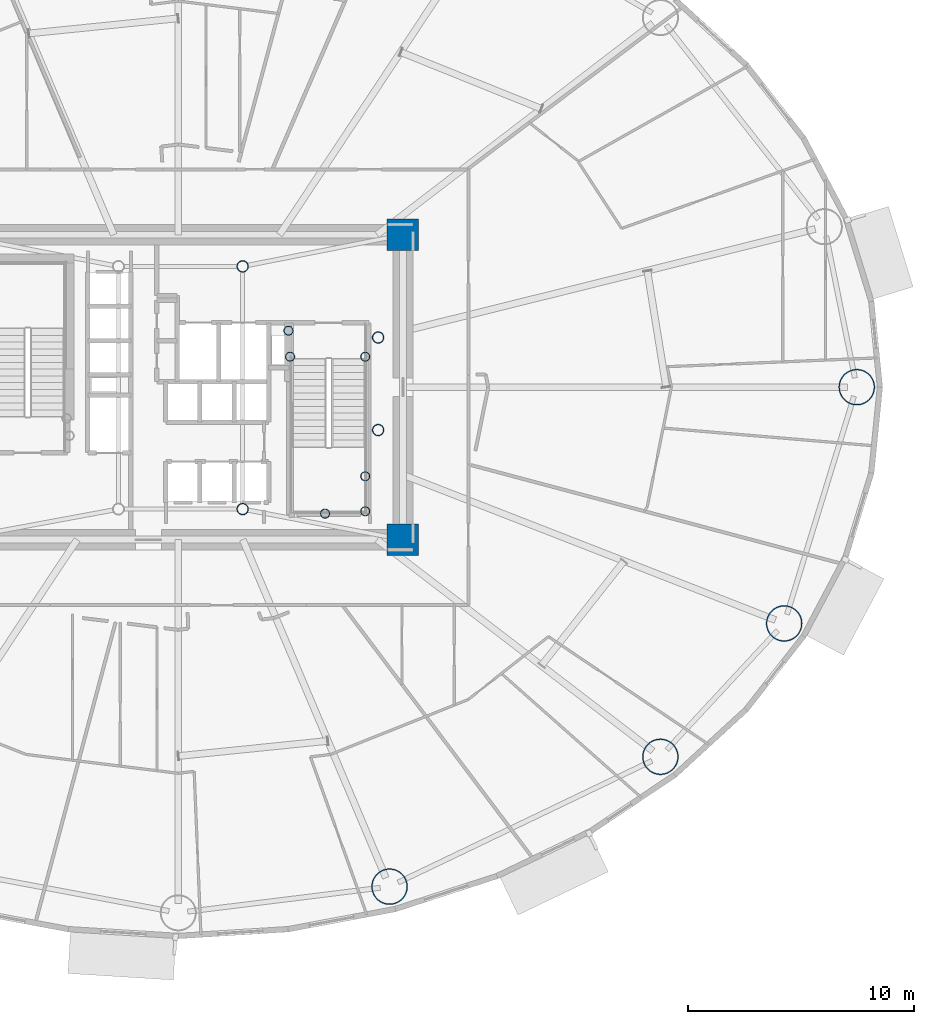
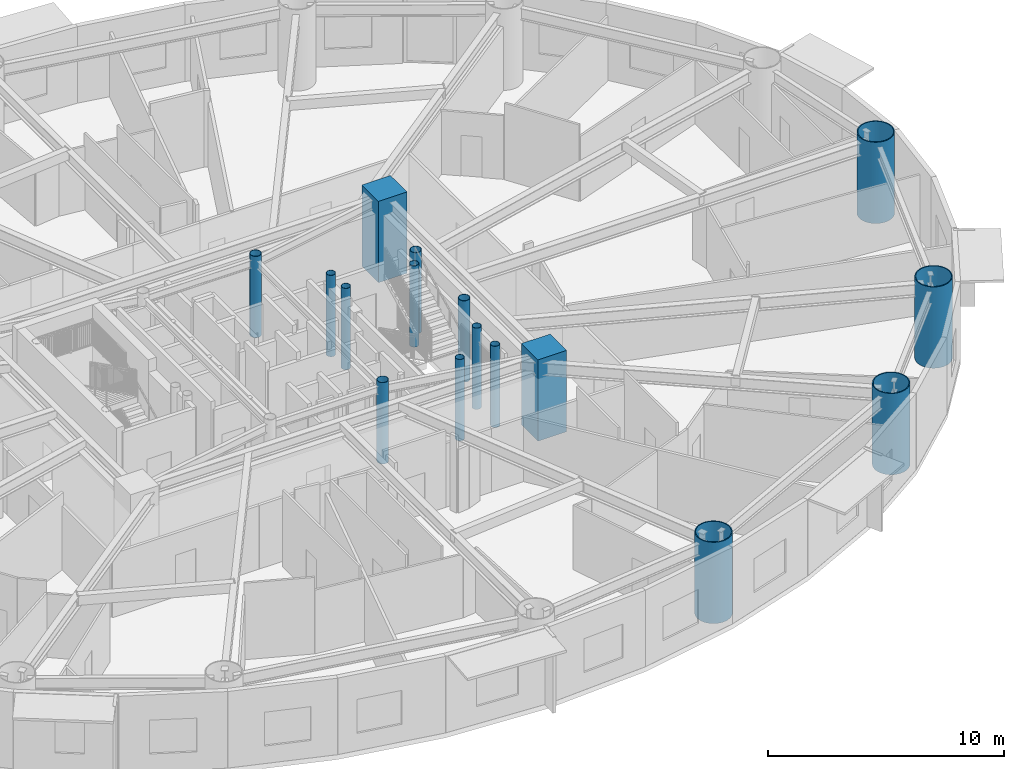
# One storey, part 2 of 24: 16 columns.
"""IFC4 building model written with IfcOpenShell, lengths in metres."""

from ifc_helpers import new_model, si_unit, direction, frame, origin, origin_2d, place, context, subcontext, project, spatial, rectangle, hollow_circle, extrude, material, material_profile, profile_set, type_object, element, save


model = new_model("IFC4")

# Units and contexts
model_context = context("Model", 3, precision=1e-05, world=origin(), true_north=direction((0.0, 1.0)))
body_context = subcontext(model_context, "Body", "Model", "MODEL_VIEW")
ifc_project = project(units=[si_unit("LENGTHUNIT", "METRE"), si_unit("AREAUNIT", "SQUARE_METRE"), si_unit("VOLUMEUNIT", "CUBIC_METRE"), si_unit("PLANEANGLEUNIT", "RADIAN"), si_unit("MASSUNIT", "GRAM", prefix="KILO")], contexts=[model_context])

# Site, building, storey
site_placement = place(None, origin())
site = spatial("IfcSite", under=ifc_project, at=site_placement, CompositionType="ELEMENT")
building_placement = place(site_placement, origin())
building = spatial("IfcBuilding", under=site, at=building_placement, Name="Linh Dai School and Residence Tower", CompositionType="ELEMENT")
storey_placement = place(building_placement, frame((0.0, 0.0, 70.199951171875)))
storey = spatial("IfcBuildingStorey", under=building, at=storey_placement, Name="L16", CompositionType="ELEMENT", Elevation=70.199951171875)

# Columns
ifc_material_1 = material(Name="Concrete B60 (C50/60)", Category="concrete")
ifc_material_profile_1 = material_profile(ifc_material_1, rectangle(XDim=1.39990234375, YDim=1.39990234375, at=origin_2d()), Name="RC 1400x1400")
ifc_profile_set_1 = profile_set([ifc_material_profile_1], Name="Concrete B60 (C50/60)")
column_type_1 = type_object("IfcColumnType", Name="COL-CC1", PredefinedType="COLUMN", material=ifc_profile_set_1)
for number, where, z_axis, x_axis, name in (
    (1, (45.949951171875, 20.25, 0.0), (0.0, 0.0, 1.0), (1.0, 0.0, 0.0), "L16 Core Corner Pier CC2"),
    (2, (45.949951171875, 33.75, 0.0), (0.0, 0.0, 1.0), (1.0, 0.0, 0.0), "L16 Core Corner Pier CC3"),
):
    element("IfcColumn", number, at=place(storey_placement, frame(where, z_axis=z_axis, x_axis=x_axis)), inside=storey, type_object=column_type_1, Name=name, PredefinedType="COLUMN", context=body_context, shape_type="SweptSolid", body=[
        extrude(rectangle(XDim=1.39990234375, YDim=1.39990234375, at=origin_2d()), origin(), (0.0, 0.0, 1.0), 4.199951171875),
    ])
ifc_material_2 = material(Name="Structural Steel S355JR", Category="steel")
ifc_material_profile_2 = material_profile(ifc_material_2, hollow_circle(Radius=0.203125, WallThickness=0.01611328125, at=origin_2d()), Name="CHS 406.4x16")
ifc_profile_set_2 = profile_set([ifc_material_profile_2], Name="Structural Steel S355JR")
column_type_2 = type_object("IfcColumnType", Name="COL-EC", PredefinedType="COLUMN", material=ifc_profile_set_2)
for number, where, z_axis, x_axis, name in (
    (3, (44.280029296875, 21.5, 0.0), (0.0, 0.0, 1.0), (1.0, 0.0, 0.0), "L16 Stair Shaft Landing Support Pier ST2SE"),
    (4, (44.280029296875, 23.050048828125, 0.0), (0.0, 0.0, 1.0), (1.0, 0.0, 0.0), "L16 Stair Shaft Landing Support Pier ST2NE"),
    (5, (42.5, 21.39990234375, 0.0), (0.0, 0.0, 1.0), (1.0, 0.0, 0.0), "L16 Stair Shaft Landing Support Pier ST2MS"),
    (6, (40.949951171875, 28.35009765625, 0.0), (0.0, 0.0, 1.0), (1.0, 0.0, 0.0), "L16 Stair Shaft Landing Support Pier ST2N1"),
    (7, (44.280029296875, 28.35009765625, 0.0), (0.0, 0.0, 1.0), (1.0, 0.0, 0.0), "L16 Stair Shaft Landing Support Pier ST2N2"),
    (8, (40.8798828125, 29.5, 0.0), (0.0, 0.0, 1.0), (1.0, 0.0, 0.0), "L16 Stair Shaft Landing Support Pier ST2N3"),
):
    element("IfcColumn", number, at=place(storey_placement, frame(where, z_axis=z_axis, x_axis=x_axis)), inside=storey, type_object=column_type_2, Name=name, PredefinedType="COLUMN", context=body_context, shape_type="SweptSolid", body=[
        extrude(hollow_circle(Radius=0.203125, WallThickness=0.01611328125, at=origin_2d()), origin(), (0.0, 0.0, 1.0), 4.199951171875),
    ])
ifc_material_profile_3 = material_profile(ifc_material_2, hollow_circle(Radius=0.800048828125, WallThickness=0.044921875, at=origin_2d()), Name="CHS 1600x45")
ifc_profile_set_3 = profile_set([ifc_material_profile_3], Name="Structural Steel S355JR")
column_type_3 = type_object("IfcColumnType", Name="COL-MC2", PredefinedType="COLUMN", material=ifc_profile_set_3)
for number, where, z_axis, x_axis, name in (
    (9, (66.050048828125, 27.0, 0.0), (0.0, 0.0, 1.0), (1.0, 0.0, 0.0), "L16 Perimeter CFT Mega-Column MC01"),
    (10, (45.357666015625, 4.880126953125, 0.0), (0.0, 0.0, 1.0), (1.0, 0.0, 0.0), "L16 Perimeter CFT Mega-Column MC14"),
    (11, (57.352783203125, 10.630859375, 0.0), (0.0, 0.0, 1.0), (1.0, 0.0, 0.0), "L16 Perimeter CFT Mega-Column MC15"),
    (12, (62.83544921875, 16.5361328125, 0.0), (0.0, 0.0, 1.0), (1.0, 0.0, 0.0), "L16 Perimeter CFT Mega-Column MC16"),
):
    element("IfcColumn", number, at=place(storey_placement, frame(where, z_axis=z_axis, x_axis=x_axis)), inside=storey, type_object=column_type_3, Name=name, PredefinedType="COLUMN", context=body_context, shape_type="SweptSolid", body=[
        extrude(hollow_circle(Radius=0.800048828125, WallThickness=0.044921875, at=origin_2d()), origin(), (0.0, 0.0, 1.0), 4.199951171875),
    ])
ifc_material_profile_4 = material_profile(ifc_material_2, hollow_circle(Radius=0.25390625, WallThickness=0.02001953125, at=origin_2d()), Name="CHS 508x20")
ifc_profile_set_4 = profile_set([ifc_material_profile_4], Name="Structural Steel S355JR")
column_type_4 = type_object("IfcColumnType", Name="COL-MCP", PredefinedType="COLUMN", material=ifc_profile_set_4)
for number, where, z_axis, x_axis, name in (
    (13, (38.85009765625, 21.60009765625, 0.0), (0.0, 0.0, 1.0), (1.0, 0.0, 0.0), "L16 Core Mast Support Pier MCP2"),
    (14, (38.85009765625, 32.35009765625, 0.0), (0.0, 0.0, 1.0), (1.0, 0.0, 0.0), "L16 Core Mast Support Pier MCP3"),
    (15, (44.85009765625, 25.10009765625, 0.0), (0.0, 0.0, 1.0), (1.0, 0.0, 0.0), "L16 Sky-Lounge Core Anchor Pier S"),
    (16, (44.85009765625, 29.199951171875, 0.0), (0.0, 0.0, 1.0), (1.0, 0.0, 0.0), "L16 Sky-Lounge Core Anchor Pier N"),
):
    element("IfcColumn", number, at=place(storey_placement, frame(where, z_axis=z_axis, x_axis=x_axis)), inside=storey, type_object=column_type_4, Name=name, PredefinedType="COLUMN", context=body_context, shape_type="SweptSolid", body=[
        extrude(hollow_circle(Radius=0.25390625, WallThickness=0.02001953125, at=origin_2d()), origin(), (0.0, 0.0, 1.0), 4.199951171875),
    ])

save(model, "model.ifc")
